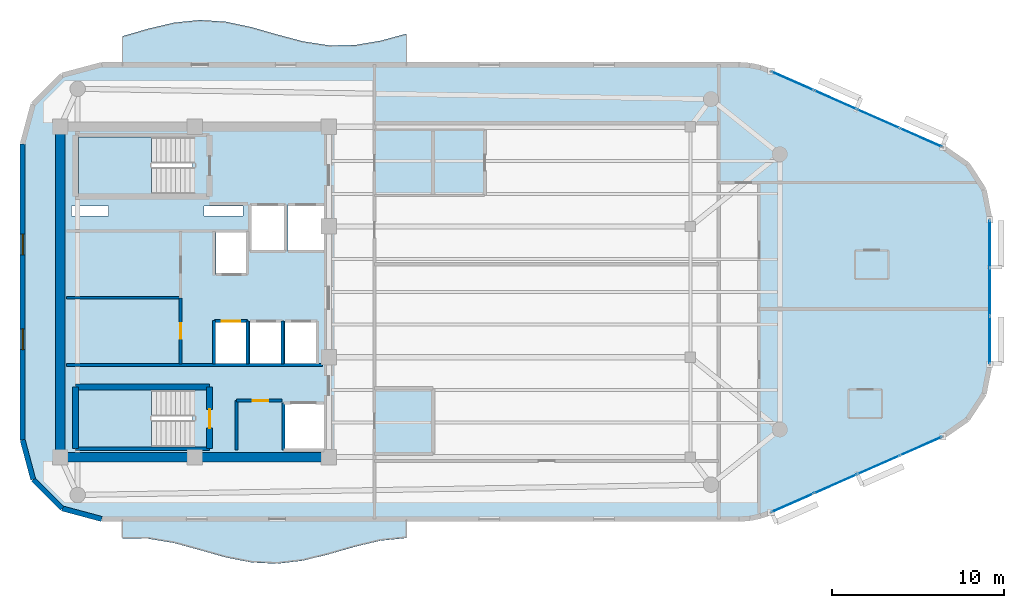
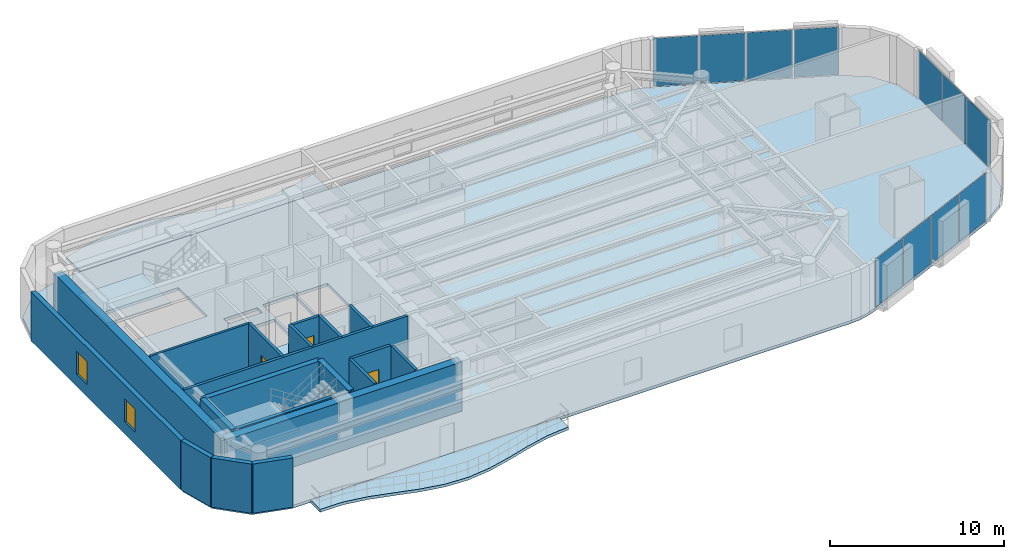
# One storey, part 7 of 12: 20 walls, 11 plates, 5 slabs, 4 doors, 2 windows, 6 openings, 5 elements without a shape of their own.
"""IFC4 building model written with IfcOpenShell, lengths in metres."""

import ifcopenshell
import ifcopenshell.guid

model = None  # the IFC model being written
_history = None  # IfcOwnerHistory: only IFC2X3 demands one
_inside = {}  # id of a spatial element -> (the spatial element, [elements in it])
_under = {}  # id of a project, library or spatial element -> (it, [spatial elements below it])
_declared = {}  # id of a project -> (the project, [libraries it declares])
_typed = {}  # id of a type object -> (the type object, [elements of that type])
_made_of = {}  # id of a material, layer set ... -> (it, [elements and type objects made of it])


def new_model(schema):
    """Start an empty IFC model of exactly this schema.

    Asked for "IFC4X3", IfcOpenShell would pick the latest addendum, in which some entities
    have other attributes; the version numbers below select the first issue.
    IFC2X3 requires an IfcOwnerHistory on every rooted entity: one is made here for all.
    """
    global model, _history
    if schema == "IFC4X3":
        model = ifcopenshell.file(schema_version=(4, 3, 0, 0))
    else:
        model = ifcopenshell.file(schema=schema)
    _inside.clear()
    _under.clear()
    _declared.clear()
    _typed.clear()
    _made_of.clear()
    _history = None
    if model.schema == "IFC2X3":
        org = make("IfcOrganization", Name="unknown")
        user = make(
            "IfcPersonAndOrganization",
            ThePerson=make("IfcPerson", FamilyName="unknown"),
            TheOrganization=org,
        )
        app = make(
            "IfcApplication",
            ApplicationDeveloper=org,
            Version="unknown",
            ApplicationFullName="unknown",
            ApplicationIdentifier="unknown",
        )
        _history = make(
            "IfcOwnerHistory",
            OwningUser=user,
            OwningApplication=app,
            ChangeAction="ADDED",
            CreationDate=0,
        )
    return model


def make(cls, **values):
    """One entity of the class cls with the attributes given. An attribute that is None is left unset."""
    return model.create_entity(
        cls, **{name: value for name, value in values.items() if value is not None}
    )


def rooted(cls, **values):
    """An entity with a GlobalId (a new one), such as an element, a storey or a relation."""
    return make(cls, GlobalId=ifcopenshell.guid.new(), OwnerHistory=_history, **values)


def si_unit(unit_type, name, prefix=None):
    """IfcSIUnit, for example si_unit("LENGTHUNIT", "METRE", prefix="MILLI")."""
    return make("IfcSIUnit", UnitType=unit_type, Prefix=prefix, Name=name)


def assignment(units):
    """IfcUnitAssignment: the units of a project."""
    return None if units is None else make("IfcUnitAssignment", Units=units)


def point(xyz):
    """IfcCartesianPoint."""
    return None if xyz is None else make("IfcCartesianPoint", Coordinates=xyz)


def direction(xyz):
    """IfcDirection."""
    return None if xyz is None else make("IfcDirection", DirectionRatios=xyz)


def frame(location, z_axis=None, x_axis=None):
    """IfcAxis2Placement3D, a coordinate frame: its origin and axes. An axis left out is left unset."""
    return make(
        "IfcAxis2Placement3D",
        Location=point(location),
        Axis=direction(z_axis),
        RefDirection=direction(x_axis),
    )


def frame_2d(location, x_axis=None):
    """IfcAxis2Placement2D, a coordinate frame in the plane: its origin and x axis."""
    return make(
        "IfcAxis2Placement2D", Location=point(location), RefDirection=direction(x_axis)
    )


def origin():
    """The frame at (0, 0, 0) with its axes left unset."""
    return frame((0.0, 0.0, 0.0))


def origin_2d():
    """The frame at (0, 0) in the plane with its x axis left unset."""
    return frame_2d((0.0, 0.0))


def place(relative_to, where):
    """IfcLocalPlacement: puts the frame where relative to a parent placement (None: the world)."""
    return make(
        "IfcLocalPlacement", PlacementRelTo=relative_to, RelativePlacement=where
    )


def context(
    kind, dimensions, precision=None, world=None, true_north=None, identifier=None
):
    """IfcGeometricRepresentationContext, for example the 3D "Model" context."""
    return make(
        "IfcGeometricRepresentationContext",
        ContextIdentifier=identifier,
        ContextType=kind,
        CoordinateSpaceDimension=dimensions,
        Precision=precision,
        WorldCoordinateSystem=world,
        TrueNorth=true_north,
    )


def subcontext(parent, identifier, kind, view, scale=None):
    """IfcGeometricRepresentationSubContext, for example "Body" below "Model"."""
    return make(
        "IfcGeometricRepresentationSubContext",
        ContextIdentifier=identifier,
        ContextType=kind,
        ParentContext=parent,
        TargetScale=scale,
        TargetView=view,
    )


def project(units=None, contexts=None):
    """IfcProject with its units and contexts."""
    return rooted(
        "IfcProject",
        Name="project",
        RepresentationContexts=contexts,
        UnitsInContext=assignment(units),
    )


def spatial(cls, under=None, at=None, **own):
    """A site, building, storey or space (cls), placed at a placement, below another one or the project."""
    s = rooted(cls, ObjectPlacement=at, **own)
    if under is not None:
        _under.setdefault(under.id(), (under, []))[1].append(s)
    return s


def polyline(points):
    """IfcPolyline through the points."""
    return make("IfcPolyline", Points=[point(p) for p in points])


def profile(cls, at=None, kind="AREA", **sizes):
    """A parametric profile (cls). Its sizes go by their IFC names, for example OverallWidth=200.0."""
    return make(cls, ProfileType=kind, Position=at, **sizes)


def rectangle(**sizes):
    """IfcRectangleProfileDef."""
    return profile("IfcRectangleProfileDef", **sizes)


def outline(outer, holes=None, kind="AREA"):
    """IfcArbitraryClosedProfileDef: a profile drawn as a closed curve; with holes, ...WithVoids."""
    if holes is None:
        return make("IfcArbitraryClosedProfileDef", ProfileType=kind, OuterCurve=outer)
    return make(
        "IfcArbitraryProfileDefWithVoids",
        ProfileType=kind,
        OuterCurve=outer,
        InnerCurves=holes,
    )


def extrude(swept, where, along, depth):
    """IfcExtrudedAreaSolid: the profile swept, set in the frame where, extruded along a direction by depth."""
    return make(
        "IfcExtrudedAreaSolid",
        SweptArea=swept,
        Position=where,
        ExtrudedDirection=direction(along),
        Depth=depth,
    )


def shape(context_of_items, identifier, shape_type, items):
    """IfcShapeRepresentation: the items that make up one representation, for example the "Body"."""
    return make(
        "IfcShapeRepresentation",
        ContextOfItems=context_of_items,
        RepresentationIdentifier=identifier,
        RepresentationType=shape_type,
        Items=items,
    )


def material(Name=None, Category=None):
    """IfcMaterial."""
    return make("IfcMaterial", Name=Name, Category=Category)


def layer(
    of_material, thickness, ventilated=None, Name=None, Category=None, Priority=None
):
    """IfcMaterialLayer: one layer of a wall or slab, of a material (None: an air gap)."""
    return make(
        "IfcMaterialLayer",
        Material=of_material,
        LayerThickness=thickness,
        IsVentilated=ventilated,
        Name=Name,
        Category=Category,
        Priority=Priority,
    )


def layer_set(layers, Name=None):
    """IfcMaterialLayerSet."""
    return make("IfcMaterialLayerSet", MaterialLayers=layers, LayerSetName=Name)


def made_of(thing, what):
    """Note that an element or type object is made of a material, layer set ...; save() writes the relation."""
    if what is not None:
        _made_of.setdefault(what.id(), (what, []))[1].append(thing)
    return thing


def type_object(cls, material=None, **own):
    """A type object (cls), such as IfcWallType, which elements share."""
    return made_of(rooted(cls, **own), material)


def element(
    cls,
    number,
    at=None,
    inside=None,
    cuts=None,
    type_object=None,
    material=None,
    context=None,
    identifier="Body",
    shape_type=None,
    held_by="IfcProductDefinitionShape",
    body=None,
    shapes=None,
    **own,
):
    """One element of the class cls, such as IfcWall. Its Tag is "e" and its number.

    at: its placement. inside: the storey or other place that contains it. cuts: it is an
    opening in that element (IfcRelVoidsElement). A single representation is given by context,
    identifier, shape_type and body (its items); several are given by shapes. held_by: the class
    of the entity that holds the representations. save() writes the other relations.
    """
    e = rooted(cls, Tag="e%d" % number, ObjectPlacement=at, **own)
    if body is not None:
        shapes = [shape(context, identifier, shape_type, body)]
    if shapes is not None:
        e.Representation = make(held_by, Representations=shapes)
    if inside is not None:
        _inside.setdefault(inside.id(), (inside, []))[1].append(e)
    if cuts is not None:
        rooted(
            "IfcRelVoidsElement", RelatingBuildingElement=cuts, RelatedOpeningElement=e
        )
    if type_object is not None:
        _typed.setdefault(type_object.id(), (type_object, []))[1].append(e)
    return made_of(e, material)


def fill(opening, filler):
    """IfcRelFillsElement: the door or window that sits in an opening."""
    return rooted(
        "IfcRelFillsElement",
        RelatingOpeningElement=opening,
        RelatedBuildingElement=filler,
    )


def aggregate(whole, parts):
    """IfcRelAggregates: a whole, such as a stair, and the parts it consists of."""
    return rooted("IfcRelAggregates", RelatingObject=whole, RelatedObjects=parts)


def save(model, path):
    """Write the relations noted so far, then the file.

    IfcRelAggregates (storeys below a building ...), IfcRelContainedInSpatialStructure (elements
    in a storey), IfcRelDefinesByType, IfcRelAssociatesMaterial and IfcRelDeclares: one each for
    every whole, place, type object, material and project.
    """
    for whole, parts in _under.values():
        aggregate(whole, parts)
    for where, things in _inside.values():
        rooted(
            "IfcRelContainedInSpatialStructure",
            RelatedElements=things,
            RelatingStructure=where,
        )
    for kind, things in _typed.values():
        rooted("IfcRelDefinesByType", RelatedObjects=things, RelatingType=kind)
    for what, things in _made_of.values():
        rooted("IfcRelAssociatesMaterial", RelatedObjects=things, RelatingMaterial=what)
    for by, libraries in _declared.values():
        rooted("IfcRelDeclares", RelatingContext=by, RelatedDefinitions=libraries)
    model.write(path)


model = new_model("IFC4")

# Units and contexts
model_context = context("Model", 3, precision=1e-05, world=origin(), true_north=direction((0.0, 1.0)))
body_context = subcontext(model_context, "Body", "Model", "MODEL_VIEW")
ifc_project = project(units=[si_unit("LENGTHUNIT", "METRE"), si_unit("AREAUNIT", "SQUARE_METRE"), si_unit("VOLUMEUNIT", "CUBIC_METRE"), si_unit("PLANEANGLEUNIT", "RADIAN"), si_unit("MASSUNIT", "GRAM", prefix="KILO")], contexts=[model_context])

# Site, building, storey
site_placement = place(None, origin())
site = spatial("IfcSite", under=ifc_project, at=site_placement, CompositionType="ELEMENT")
building_placement = place(site_placement, origin())
building = spatial("IfcBuilding", under=site, at=building_placement, Name="An Khanh Terracotta Commons", CompositionType="ELEMENT")
storey_placement = place(building_placement, frame((0.0, 0.0, 258.800048828125)))
storey = spatial("IfcBuildingStorey", under=building, at=storey_placement, Name="L67", CompositionType="ELEMENT", Elevation=258.800048828125)

# Curtain wall, plates
ifc_material_1 = material(Name="Anodised Aluminium 6063-T6", Category="aluminium")
ifc_layer_1 = layer(ifc_material_1, 0.2099609375, Name="Anodised Aluminium 6063-T6")
ifc_layer_set_1 = layer_set([ifc_layer_1], Name="Anodised Aluminium 6063-T6")
curtain_wall_type = type_object("IfcCurtainWallType", Name="CW-SYS-03", PredefinedType="USERDEFINED", material=ifc_layer_set_1)
curtain_wall_1_placement = place(storey_placement, origin())
curtain_wall_1 = element("IfcCurtainWall", 1, at=curtain_wall_1_placement, inside=storey, type_object=curtain_wall_type, Name="L67 CW-03 Unitised Curtain Wall CW-L67-08", ObjectType="UNITISED CURTAIN WALL", PredefinedType="USERDEFINED")
ifc_material_2 = material(Name="Acoustic Laminated Low-E Glazing", Category="glass")
ifc_layer_2 = layer(ifc_material_2, 0.035888671875, Name="Acoustic Laminated Low-E Glazing")
ifc_layer_set_2 = layer_set([ifc_layer_2], Name="Acoustic Laminated Low-E Glazing")
plate_type = type_object("IfcPlateType", Name="CWP-IGU-36", PredefinedType="CURTAIN_PANEL", material=ifc_layer_set_2)
plate_1_placement = place(storey_placement, frame((64.149169921875, 11.748046875, 0.0498046875), z_axis=(0.0, 0.0, 1.0), x_axis=(0.914901853201, 0.403676354285, 0.0)))
plate_1 = element("IfcPlate", 2, at=plate_1_placement, type_object=plate_type, Name="CW-03 panel 1.1", PredefinedType="CURTAIN_PANEL", context=body_context, shape_type="SweptSolid", body=[
    extrude(rectangle(XDim=2.619384765625, YDim=0.035888671875, at=origin_2d()), origin(), (0.0, 0.0, 1.0), 3.35009765625),
])
plate_2_placement = place(storey_placement, frame((66.625732421875, 12.840576171875, 0.0498046875), z_axis=(0.0, 0.0, 1.0), x_axis=(0.914901853201, 0.403676354285, 0.0)))
plate_2 = element("IfcPlate", 3, at=plate_2_placement, type_object=plate_type, Name="CW-03 panel 2.1", PredefinedType="CURTAIN_PANEL", context=body_context, shape_type="SweptSolid", body=[
    extrude(rectangle(XDim=2.654296875, YDim=0.035888671875, at=origin_2d()), origin(), (0.0, 0.0, 1.0), 3.35009765625),
])
plate_3_placement = place(storey_placement, frame((69.1181640625, 13.9404296875, 0.0498046875), z_axis=(0.0, 0.0, 1.0), x_axis=(0.914901853201, 0.403676354285, 0.0)))
plate_3 = element("IfcPlate", 4, at=plate_3_placement, type_object=plate_type, Name="CW-03 panel 3.1", PredefinedType="CURTAIN_PANEL", context=body_context, shape_type="SweptSolid", body=[
    extrude(rectangle(XDim=2.654296875, YDim=0.035888671875, at=origin_2d()), origin(), (0.0, 0.0, 1.0), 3.35009765625),
])
plate_4_placement = place(storey_placement, frame((71.5947265625, 15.032958984375, 0.0498046875), z_axis=(0.0, 0.0, 1.0), x_axis=(0.914901853201, 0.403676354285, 0.0)))
plate_4 = element("IfcPlate", 5, at=plate_4_placement, type_object=plate_type, Name="CW-03 panel 4.1", PredefinedType="CURTAIN_PANEL", context=body_context, shape_type="SweptSolid", body=[
    extrude(rectangle(XDim=2.619384765625, YDim=0.035888671875, at=origin_2d()), origin(), (0.0, 0.0, 1.0), 3.35009765625),
])
aggregate(curtain_wall_1, [plate_1, plate_2, plate_3, plate_4])

curtain_wall_2_placement = place(storey_placement, origin())
curtain_wall_2 = element("IfcCurtainWall", 6, at=curtain_wall_2_placement, inside=storey, type_object=curtain_wall_type, Name="L67 CW-03 Unitised Curtain Wall CW-L67-12", ObjectType="UNITISED CURTAIN WALL", PredefinedType="USERDEFINED")
plate_5_placement = place(storey_placement, frame((75.60009765625, 21.216064453125, 0.0498046875), z_axis=(0.0, 0.0, 1.0), x_axis=(0.0, 1.0, 0.0)))
plate_5 = element("IfcPlate", 7, at=plate_5_placement, type_object=plate_type, Name="CW-03 panel 1.1", PredefinedType="CURTAIN_PANEL", context=body_context, shape_type="SweptSolid", body=[
    extrude(rectangle(XDim=2.6962890625, YDim=0.035888671875, at=origin_2d()), origin(), (0.0, 0.0, 1.0), 3.35009765625),
])
plate_6_placement = place(storey_placement, frame((75.60009765625, 24.0, 0.0498046875), z_axis=(0.0, 0.0, 1.0), x_axis=(0.0, 1.0, 0.0)))
plate_6 = element("IfcPlate", 8, at=plate_6_placement, type_object=plate_type, Name="CW-03 panel 2.1", PredefinedType="CURTAIN_PANEL", context=body_context, shape_type="SweptSolid", body=[
    extrude(rectangle(XDim=2.7314453125, YDim=0.035888671875, at=origin_2d()), origin(), (0.0, 0.0, 1.0), 3.35009765625),
])
plate_7_placement = place(storey_placement, frame((75.60009765625, 26.783935546875, 0.0498046875), z_axis=(0.0, 0.0, 1.0), x_axis=(0.0, 1.0, 0.0)))
plate_7 = element("IfcPlate", 9, at=plate_7_placement, type_object=plate_type, Name="CW-03 panel 3.1", PredefinedType="CURTAIN_PANEL", context=body_context, shape_type="SweptSolid", body=[
    extrude(rectangle(XDim=2.6962890625, YDim=0.035888671875, at=origin_2d()), origin(), (0.0, 0.0, 1.0), 3.35009765625),
])
aggregate(curtain_wall_2, [plate_5, plate_6, plate_7])

curtain_wall_3_placement = place(storey_placement, origin())
curtain_wall_3 = element("IfcCurtainWall", 10, at=curtain_wall_3_placement, inside=storey, type_object=curtain_wall_type, Name="L67 CW-03 Unitised Curtain Wall CW-L67-16", ObjectType="UNITISED CURTAIN WALL", PredefinedType="USERDEFINED")
plate_8_placement = place(storey_placement, frame((71.5947265625, 32.967041015625, 0.0498046875), z_axis=(0.0, 0.0, 1.0), x_axis=(-0.914901853201, 0.403676354285, 0.0)))
plate_8 = element("IfcPlate", 11, at=plate_8_placement, type_object=plate_type, Name="CW-03 panel 1.1", PredefinedType="CURTAIN_PANEL", context=body_context, shape_type="SweptSolid", body=[
    extrude(rectangle(XDim=2.619384765625, YDim=0.035888671875, at=origin_2d()), origin(), (0.0, 0.0, 1.0), 3.35009765625),
])
plate_9_placement = place(storey_placement, frame((69.1181640625, 34.0595703125, 0.0498046875), z_axis=(0.0, 0.0, 1.0), x_axis=(-0.914901853201, 0.403676354285, 0.0)))
plate_9 = element("IfcPlate", 12, at=plate_9_placement, type_object=plate_type, Name="CW-03 panel 2.1", PredefinedType="CURTAIN_PANEL", context=body_context, shape_type="SweptSolid", body=[
    extrude(rectangle(XDim=2.654296875, YDim=0.035888671875, at=origin_2d()), origin(), (0.0, 0.0, 1.0), 3.35009765625),
])
plate_10_placement = place(storey_placement, frame((66.625732421875, 35.159423828125, 0.0498046875), z_axis=(0.0, 0.0, 1.0), x_axis=(-0.914901853201, 0.403676354285, 0.0)))
plate_10 = element("IfcPlate", 13, at=plate_10_placement, type_object=plate_type, Name="CW-03 panel 3.1", PredefinedType="CURTAIN_PANEL", context=body_context, shape_type="SweptSolid", body=[
    extrude(rectangle(XDim=2.654296875, YDim=0.035888671875, at=origin_2d()), origin(), (0.0, 0.0, 1.0), 3.35009765625),
])
plate_11_placement = place(storey_placement, frame((64.149169921875, 36.251953125, 0.0498046875), z_axis=(0.0, 0.0, 1.0), x_axis=(-0.914901853201, 0.403676354285, 0.0)))
plate_11 = element("IfcPlate", 14, at=plate_11_placement, type_object=plate_type, Name="CW-03 panel 4.1", PredefinedType="CURTAIN_PANEL", context=body_context, shape_type="SweptSolid", body=[
    extrude(rectangle(XDim=2.619384765625, YDim=0.035888671875, at=origin_2d()), origin(), (0.0, 0.0, 1.0), 3.35009765625),
])
aggregate(curtain_wall_3, [plate_8, plate_9, plate_10, plate_11])

# Slabs
ifc_material_3 = material(Name="Concrete C40/50", Category="concrete")
ifc_layer_3 = layer(ifc_material_3, 0.199951171875, Name="Concrete C40/50")
ifc_layer_set_3 = layer_set([ifc_layer_3], Name="Concrete C40/50")
slab_type_1 = type_object("IfcSlabType", Name="SLAB-BALC-200", PredefinedType="FLOOR", material=ifc_layer_set_3)
slab_1_placement = place(storey_placement, frame((0.0, 0.0, -0.199951171875)))
element("IfcSlab", 15, at=slab_1_placement, inside=storey, type_object=slab_type_1, Name="L67 S Sinusoidal Wave Balcony Slab", PredefinedType="FLOOR", context=body_context, shape_type="SweptSolid", body=[
    extrude(outline(polyline([(25.199951171875, 10.800048828125), (25.199951171875, 9.674072265625), (26.699951171875, 9.659912109375), (28.199951171875, 9.406982421875), (29.699951171875, 8.9990234375), (31.199951171875, 8.574951171875), (32.699951171875, 8.277099609375), (34.199951171875, 8.2060546875), (35.699951171875, 8.385986328125), (37.199951171875, 8.756103515625), (38.699951171875, 9.19091796875), (40.199951171875, 9.544921875), (41.699951171875, 9.697998046875), (41.699951171875, 10.800048828125), (25.199951171875, 10.800048828125)])), origin(), (0.0, 0.0, 1.0), 0.199951171875),
])
slab_2_placement = place(storey_placement, frame((0.0, 0.0, -0.199951171875)))
element("IfcSlab", 16, at=slab_2_placement, inside=storey, type_object=slab_type_1, Name="L67 N Sinusoidal Wave Balcony Slab", PredefinedType="FLOOR", context=body_context, shape_type="SweptSolid", body=[
    extrude(outline(polyline([(41.699951171875, 37.199951171875), (41.699951171875, 39.0009765625), (40.199951171875, 38.593017578125), (38.699951171875, 38.340087890625), (37.199951171875, 38.325927734375), (35.699951171875, 38.554931640625), (34.199951171875, 38.951904296875), (32.699951171875, 39.382080078125), (31.199951171875, 39.699951171875), (29.699951171875, 39.798095703125), (28.199951171875, 39.64501953125), (26.699951171875, 39.291015625), (25.199951171875, 38.85595703125), (25.199951171875, 37.199951171875), (41.699951171875, 37.199951171875)])), origin(), (0.0, 0.0, 1.0), 0.199951171875),
])

# Stair, slab
ifc_material_4 = material(Name="Precast concrete C40/50", Category="concrete")
stair_type = type_object("IfcStairType", Name="STAIR-CORE-1550", PredefinedType="HALF_TURN_STAIR", material=ifc_material_4)
stair_1_placement = place(storey_placement, origin())
stair_1 = element("IfcStair", 17, at=stair_1_placement, inside=storey, type_object=stair_type, Name="L67 Core Smokeproof Exit Stair ST-01", PredefinedType="HALF_TURN_STAIR")
ifc_layer_4 = layer(ifc_material_3, 0.18994140625, Name="Concrete C40/50")
ifc_layer_set_4 = layer_set([ifc_layer_4], Name="Concrete C40/50")
slab_type_2 = type_object("IfcSlabType", Name="SLAB-LANDING-190", PredefinedType="LANDING", material=ifc_layer_set_4)
slab_3_placement = place(storey_placement, frame((0.0, 0.0, 1.625)))
slab_3 = element("IfcSlab", 18, at=slab_3_placement, type_object=slab_type_2, Name="ST-01 landing 1", PredefinedType="LANDING", context=body_context, shape_type="SweptSolid", body=[
    extrude(outline(polyline([(26.889892578125, 33.0), (22.64990234375, 33.0), (22.64990234375, 29.699951171875), (26.889892578125, 29.699951171875), (26.889892578125, 33.0)])), origin(), (0.0, 0.0, 1.0), 0.199951171875),
])
aggregate(stair_1, [slab_3])

stair_2_placement = place(storey_placement, origin())
stair_2 = element("IfcStair", 19, at=stair_2_placement, inside=storey, type_object=stair_type, Name="L67 Core Smokeproof Exit Stair ST-02", PredefinedType="HALF_TURN_STAIR")
slab_4_placement = place(storey_placement, frame((0.0, 0.0, 1.625)))
slab_4 = element("IfcSlab", 20, at=slab_4_placement, type_object=slab_type_2, Name="ST-02 landing 1", PredefinedType="LANDING", context=body_context, shape_type="SweptSolid", body=[
    extrude(outline(polyline([(26.889892578125, 18.300048828125), (22.64990234375, 18.300048828125), (22.64990234375, 15.0), (26.889892578125, 15.0), (26.889892578125, 18.300048828125)])), origin(), (0.0, 0.0, 1.0), 0.199951171875),
])
aggregate(stair_2, [slab_4])

# Slab
ifc_layer_5 = layer(ifc_material_3, 0.199951171875, Name="Concrete C40/50")
ifc_layer_set_5 = layer_set([ifc_layer_5], Name="Concrete C40/50")
slab_type_3 = type_object("IfcSlabType", Name="SLAB-TYP-200", PredefinedType="FLOOR", material=ifc_layer_set_5)
slab_5_placement = place(storey_placement, frame((0.0, 0.0, -0.199951171875)))
element("IfcSlab", 21, at=slab_5_placement, inside=storey, type_object=slab_type_3, Name="L67 Structural Floor Slab", PredefinedType="FLOOR", context=body_context, shape_type="SweptSolid", body=[
    extrude(outline(polyline([(19.39990234375, 15.39990234375), (20.01611328125, 13.10009765625), (21.699951171875, 11.416015625), (24.0, 10.800048828125), (61.030029296875, 10.800048828125), (61.6650390625, 10.843994140625), (62.2880859375, 10.97509765625), (62.886962890625, 11.19091796875), (72.85693359375, 15.590087890625), (74.302001953125, 16.594970703125), (75.262939453125, 18.070068359375), (75.60009765625, 19.798095703125), (75.60009765625, 28.201904296875), (75.262939453125, 29.929931640625), (74.302001953125, 31.405029296875), (72.85693359375, 32.409912109375), (62.886962890625, 36.80908203125), (62.2880859375, 37.02490234375), (61.6650390625, 37.156005859375), (61.030029296875, 37.199951171875), (24.0, 37.199951171875), (21.699951171875, 36.583984375), (20.01611328125, 34.89990234375), (19.39990234375, 32.60009765625), (19.39990234375, 15.39990234375)]), holes=[polyline([(22.64990234375, 29.699951171875), (29.27001953125, 29.699951171875), (29.27001953125, 33.0), (22.64990234375, 33.0), (22.64990234375, 29.699951171875)]), polyline([(22.64990234375, 15.0), (29.27001953125, 15.0), (29.27001953125, 18.300048828125), (22.64990234375, 18.300048828125), (22.64990234375, 15.0)]), polyline([(32.60009765625, 26.35009765625), (34.679931640625, 26.35009765625), (34.679931640625, 29.080078125), (32.60009765625, 29.080078125), (32.60009765625, 26.35009765625)]), polyline([(34.820068359375, 26.35009765625), (36.89990234375, 26.35009765625), (36.89990234375, 29.080078125), (34.820068359375, 29.080078125), (34.820068359375, 26.35009765625)]), polyline([(34.550048828125, 14.800048828125), (36.89990234375, 14.800048828125), (36.89990234375, 17.550048828125), (34.550048828125, 17.550048828125), (34.550048828125, 14.800048828125)]), polyline([(30.639892578125, 25.0), (32.4599609375, 25.0), (32.4599609375, 27.5), (30.639892578125, 27.5), (30.639892578125, 25.0)]), polyline([(30.56005859375, 19.800048828125), (32.4599609375, 19.800048828125), (32.4599609375, 22.300048828125), (30.56005859375, 22.300048828125), (30.56005859375, 19.800048828125)]), polyline([(32.60009765625, 19.800048828125), (34.5, 19.800048828125), (34.5, 22.300048828125), (32.60009765625, 22.300048828125), (32.60009765625, 19.800048828125)]), polyline([(34.639892578125, 19.800048828125), (36.5400390625, 19.800048828125), (36.5400390625, 22.300048828125), (34.639892578125, 22.300048828125), (34.639892578125, 19.800048828125)]), polyline([(22.25, 28.419921875), (24.39990234375, 28.419921875), (24.39990234375, 28.97998046875), (22.25, 28.97998046875), (22.25, 28.419921875)]), polyline([(29.949951171875, 28.419921875), (32.199951171875, 28.419921875), (32.199951171875, 28.97998046875), (29.949951171875, 28.97998046875), (29.949951171875, 28.419921875)])]), origin(), (0.0, 0.0, 1.0), 0.199951171875),
])

# Walls
ifc_material_5 = material(Name="Concrete C50/60", Category="concrete")
ifc_layer_6 = layer(ifc_material_5, 0.550048828125, Name="Concrete C50/60")
ifc_layer_set_6 = layer_set([ifc_layer_6], Name="Concrete C50/60")
wall_type_1 = type_object("IfcWallType", Name="WALL-CORE-550", PredefinedType="SHEAR", material=ifc_layer_set_6)
wall_1_placement = place(storey_placement, frame((21.60009765625, 14.39990234375, 0.0), z_axis=(0.0, 0.0, 1.0), x_axis=(0.0, 1.0, 0.0)))
element("IfcWall", 22, at=wall_1_placement, inside=storey, type_object=wall_type_1, Name="L67 Core Wall CWALL-L67-W", PredefinedType="SHEAR", context=body_context, shape_type="SweptSolid", body=[
    extrude(rectangle(XDim=19.2001953125, YDim=0.550048828125, at=frame_2d((9.60009765625, 0.0))), origin(), (0.0, 0.0, 1.0), 3.449951171875),
])
wall_2_placement = place(storey_placement, frame((37.199951171875, 14.39990234375, 0.0), z_axis=(0.0, 0.0, 1.0), x_axis=(-1.0, 0.0, 0.0)))
element("IfcWall", 23, at=wall_2_placement, inside=storey, type_object=wall_type_1, Name="L67 Core Wall CWALL-L67-S", PredefinedType="SHEAR", context=body_context, shape_type="SweptSolid", body=[
    extrude(rectangle(XDim=15.599853515625, YDim=0.550048828125, at=frame_2d((7.7998046875, 0.0))), origin(), (0.0, 0.0, 1.0), 3.449951171875),
])
ifc_material_6 = material(Name="Fire-Rated Gypsum Board on Steel Stud", Category="steel")
ifc_layer_7 = layer(ifc_material_6, 0.179931640625, Name="Fire-Rated Gypsum Board on Steel Stud")
ifc_layer_set_7 = layer_set([ifc_layer_7], Name="Fire-Rated Gypsum Board on Steel Stud")
wall_type_2 = type_object("IfcWallType", Name="WALL-CORR-180", PredefinedType="PARTITIONING", material=ifc_layer_set_7)
wall_3_placement = place(storey_placement, frame((21.949951171875, 19.760009765625, 0.0), z_axis=(0.0, 0.0, 1.0), x_axis=(1.0, 0.0, 0.0)))
element("IfcWall", 24, at=wall_3_placement, inside=storey, type_object=wall_type_2, Name="L67 Core Wall SVW-L67-N", PredefinedType="PARTITIONING", context=body_context, shape_type="SweptSolid", body=[
    extrude(rectangle(XDim=14.8701171875, YDim=0.179931640625, at=frame_2d((7.43505859375, 0.0))), origin(), (0.0, 0.0, 1.0), 3.449951171875),
])

# Wall, opening, door
wall_4_placement = place(storey_placement, frame((31.820068359375, 17.679931640625, 0.0), z_axis=(0.0, 0.0, 1.0), x_axis=(1.0, 0.0, 0.0)))
wall_4 = element("IfcWall", 25, at=wall_4_placement, inside=storey, type_object=wall_type_2, Name="L67 Core Wall SSVCW-L67-N", PredefinedType="PARTITIONING", context=body_context, shape_type="SweptSolid", body=[
    extrude(rectangle(XDim=2.659912109375, YDim=0.179931640625, at=frame_2d((1.330078125, 0.0))), origin(), (0.0, 0.0, 1.0), 3.449951171875),
])
opening_1_placement = place(wall_4_placement, frame((0.949951171875, 0.0, 0.0)))
opening_1 = element("IfcOpeningElement", 26, at=opening_1_placement, cuts=wall_4, Name="Opening D-SV", PredefinedType="OPENING", context=body_context, shape_type="SweptSolid", body=[
    extrude(rectangle(XDim=0.89990234375, YDim=2.050048828125, at=frame_2d((0.449951171875, 1.02490234375))), frame((0.0, 0.099853515625, 0.0), z_axis=(0.0, -1.0, 0.0), x_axis=(1.0, 0.0, 0.0)), (0.0, 0.0, 1.0), 0.199951171875),
])
ifc_material_7 = material(Name="Fire-Rated Powder-Coated Steel Door", Category="steel")
door_type_1 = type_object("IfcDoorType", Name="DOOR-SERV-900", OperationType="NOTDEFINED", PredefinedType="DOOR", material=ifc_material_7)
door_1_placement = place(opening_1_placement, origin())
door_1 = element("IfcDoor", 27, at=door_1_placement, inside=storey, type_object=door_type_1, Name="L67 Electrical Switch Cupboard Door", OperationType="SINGLE_SWING_RIGHT", OverallHeight=2.050048828125, OverallWidth=0.89990234375, PredefinedType="DOOR", context=body_context, shape_type="SweptSolid", body=[
    extrude(rectangle(XDim=0.89990234375, YDim=2.050048828125, at=frame_2d((0.449951171875, 1.02490234375))), frame((0.0, 0.02490234375, 0.0), z_axis=(0.0, -1.0, 0.0), x_axis=(1.0, 0.0, 0.0)), (0.0, 0.0, 1.0), 0.050048828125),
])
fill(opening_1, door_1)

# Walls
wall_5_placement = place(storey_placement, frame((31.820068359375, 14.800048828125, 0.0), z_axis=(0.0, 0.0, 1.0), x_axis=(0.0, 1.0, 0.0)))
element("IfcWall", 28, at=wall_5_placement, inside=storey, type_object=wall_type_2, Name="L67 Core Wall SSVCW-L67-W", PredefinedType="PARTITIONING", context=body_context, shape_type="SweptSolid", body=[
    extrude(rectangle(XDim=2.8798828125, YDim=0.179931640625, at=frame_2d((1.43994140625, 0.0))), origin(), (0.0, 0.0, 1.0), 3.449951171875),
])
wall_6_placement = place(storey_placement, frame((34.550048828125, 17.550048828125, 0.0), z_axis=(0.0, 0.0, 1.0), x_axis=(0.0, -1.0, 0.0)))
element("IfcWall", 29, at=wall_6_placement, inside=storey, type_object=wall_type_2, Name="L67 Core Wall LSH-L67-SVL-01-W", PredefinedType="PARTITIONING", context=body_context, shape_type="SweptSolid", body=[
    extrude(rectangle(XDim=2.75, YDim=0.179931640625, at=frame_2d((1.375, 0.0))), origin(), (0.0, 0.0, 1.0), 3.449951171875),
])

# Wall, opening, door
wall_7_placement = place(storey_placement, frame((30.56005859375, 22.300048828125, 0.0), z_axis=(0.0, 0.0, 1.0), x_axis=(1.0, 0.0, 0.0)))
wall_7 = element("IfcWall", 30, at=wall_7_placement, inside=storey, type_object=wall_type_2, Name="L67 Core Wall LSH-L67-PL-H2-N", PredefinedType="PARTITIONING", context=body_context, shape_type="SweptSolid", body=[
    extrude(rectangle(XDim=1.89990234375, YDim=0.179931640625, at=frame_2d((0.949951171875, 0.0))), origin(), (0.0, 0.0, 1.0), 3.449951171875),
])
opening_2_placement = place(wall_7_placement, frame((0.425048828125, 0.0, 0.0)))
opening_2 = element("IfcOpeningElement", 31, at=opening_2_placement, cuts=wall_7, Name="Opening LD-PL-H2-L67", PredefinedType="OPENING", context=body_context, shape_type="SweptSolid", body=[
    extrude(rectangle(XDim=1.050048828125, YDim=2.199951171875, at=frame_2d((0.52490234375, 1.10009765625))), frame((0.0, 0.099853515625, 0.0), z_axis=(0.0, -1.0, 0.0), x_axis=(1.0, 0.0, 0.0)), (0.0, 0.0, 1.0), 0.199951171875),
])
ifc_material_8 = material(Name="Brushed Stainless Steel High-Rise Landing Door", Category="steel")
door_type_2 = type_object("IfcDoorType", Name="DOOR-LD-PAXH-1050", OperationType="NOTDEFINED", PredefinedType="DOOR", material=ifc_material_8)
door_2_placement = place(opening_2_placement, origin())
door_2 = element("IfcDoor", 32, at=door_2_placement, inside=storey, type_object=door_type_2, Name="L67 Lift PL-H2 Sliding Landing Door", OperationType="DOUBLE_DOOR_SLIDING", OverallHeight=2.199951171875, OverallWidth=1.050048828125, PredefinedType="DOOR", context=body_context, shape_type="SweptSolid", body=[
    extrude(rectangle(XDim=1.050048828125, YDim=2.199951171875, at=frame_2d((0.52490234375, 1.10009765625))), frame((0.0, 0.02490234375, 0.0), z_axis=(0.0, -1.0, 0.0), x_axis=(1.0, 0.0, 0.0)), (0.0, 0.0, 1.0), 0.050048828125),
])
fill(opening_2, door_2)

# Walls
for number, where, z_axis, x_axis, name in (
    (33, (32.4599609375, 19.800048828125, 0.0), (0.0, 0.0, 1.0), (0.0, 1.0, 0.0), "L67 Core Wall LSH-L67-PL-H2-E"),
    (34, (34.5, 19.800048828125, 0.0), (0.0, 0.0, 1.0), (0.0, 1.0, 0.0), "L67 Core Wall LSH-L67-PL-H3-E"),
):
    element("IfcWall", number, at=place(storey_placement, frame(where, z_axis=z_axis, x_axis=x_axis)), inside=storey, type_object=wall_type_2, Name=name, PredefinedType="PARTITIONING", context=body_context, shape_type="SweptSolid", body=[
        extrude(rectangle(XDim=2.5, YDim=0.179931640625, at=frame_2d((1.25, 0.0))), origin(), (0.0, 0.0, 1.0), 3.449951171875),
    ])
wall_8_placement = place(storey_placement, frame((30.52001953125, 19.800048828125, 0.0), z_axis=(0.0, 0.0, 1.0), x_axis=(0.0, 1.0, 0.0)))
element("IfcWall", 35, at=wall_8_placement, inside=storey, type_object=wall_type_2, Name="L67 Core Wall RECW-L67-BE2", PredefinedType="PARTITIONING", context=body_context, shape_type="SweptSolid", body=[
    extrude(rectangle(XDim=2.550048828125, YDim=0.179931640625, at=frame_2d((1.27490234375, 0.0))), origin(), (0.0, 0.0, 1.0), 3.449951171875),
])

# Wall, opening, door
wall_9_placement = place(storey_placement, frame((28.580078125, 19.800048828125, 0.0), z_axis=(0.0, 0.0, 1.0), x_axis=(0.0, 1.0, 0.0)))
wall_9 = element("IfcWall", 36, at=wall_9_placement, inside=storey, type_object=wall_type_2, Name="L67 Core Wall RECW-L67-E2", PredefinedType="PARTITIONING", context=body_context, shape_type="SweptSolid", body=[
    extrude(rectangle(XDim=3.849853515625, YDim=0.179931640625, at=frame_2d((1.9248046875, 0.0))), origin(), (0.0, 0.0, 1.0), 3.449951171875),
])
opening_3_placement = place(wall_9_placement, frame((1.465087890625, 0.0, 0.0)))
opening_3 = element("IfcOpeningElement", 37, at=opening_3_placement, cuts=wall_9, Name="Opening D-RM", PredefinedType="OPENING", context=body_context, shape_type="SweptSolid", body=[
    extrude(rectangle(XDim=0.919921875, YDim=2.10009765625, at=frame_2d((0.4599609375, 1.050048828125))), frame((0.0, 0.099853515625, 0.0), z_axis=(0.0, -1.0, 0.0), x_axis=(1.0, 0.0, 0.0)), (0.0, 0.0, 1.0), 0.199951171875),
])
ifc_material_9 = material(Name="Engineered Hardwood Timber Leaf", Category="wood")
door_type_3 = type_object("IfcDoorType", Name="DOOR-INT-920", OperationType="NOTDEFINED", PredefinedType="DOOR", material=ifc_material_9)
door_3_placement = place(opening_3_placement, origin())
door_3 = element("IfcDoor", 38, at=door_3_placement, inside=storey, type_object=door_type_3, Name="L67 Quiet Fellowship Study Room Door", OperationType="SINGLE_SWING_RIGHT", OverallHeight=2.10009765625, OverallWidth=0.919921875, PredefinedType="DOOR", context=body_context, shape_type="SweptSolid", body=[
    extrude(rectangle(XDim=0.919921875, YDim=2.10009765625, at=frame_2d((0.4599609375, 1.050048828125))), frame((0.0, 0.02490234375, 0.0), z_axis=(0.0, -1.0, 0.0), x_axis=(1.0, 0.0, 0.0)), (0.0, 0.0, 1.0), 0.050048828125),
])
fill(opening_3, door_3)

# Walls
ifc_layer_8 = layer(ifc_material_4, 0.300048828125, Name="Precast concrete C40/50")
ifc_layer_set_8 = layer_set([ifc_layer_8], Name="Precast concrete C40/50")
wall_type_3 = type_object("IfcWallType", Name="WALL-EXT-300", PredefinedType="SOLIDWALL", material=ifc_layer_set_8)
wall_10_placement = place(storey_placement, frame((19.39990234375, 15.39990234375, 0.0), z_axis=(0.0, 0.0, 1.0), x_axis=(0.258811258154, -0.965927912762, 0.0)))
element("IfcWall", 39, at=wall_10_placement, inside=storey, type_object=wall_type_3, Name="L67 Insulated Terracotta Exterior Wall 1", PredefinedType="SOLIDWALL", context=body_context, shape_type="SweptSolid", body=[
    extrude(rectangle(XDim=2.380859375, YDim=0.300048828125, at=frame_2d((1.1904296875, 0.0))), origin(), (0.0, 0.0, 1.0), 3.449951171875),
])
wall_11_placement = place(storey_placement, frame((20.01611328125, 13.10009765625, 0.0), z_axis=(0.0, 0.0, 1.0), x_axis=(0.707055521135, -0.707158037522, 0.0)))
element("IfcWall", 40, at=wall_11_placement, inside=storey, type_object=wall_type_3, Name="L67 Insulated Terracotta Exterior Wall 2", PredefinedType="SOLIDWALL", context=body_context, shape_type="SweptSolid", body=[
    extrude(rectangle(XDim=2.381591796875, YDim=0.300048828125, at=frame_2d((1.19091796875, 0.0))), origin(), (0.0, 0.0, 1.0), 3.449951171875),
])
wall_12_placement = place(storey_placement, frame((21.699951171875, 11.416015625, 0.0), z_axis=(0.0, 0.0, 1.0), x_axis=(0.965960405575, -0.25868995895, 0.0)))
element("IfcWall", 41, at=wall_12_placement, inside=storey, type_object=wall_type_3, Name="L67 Insulated Terracotta Exterior Wall 3", PredefinedType="SOLIDWALL", context=body_context, shape_type="SweptSolid", body=[
    extrude(rectangle(XDim=2.381103515625, YDim=0.300048828125, at=frame_2d((1.1904296875, 0.0))), origin(), (0.0, 0.0, 1.0), 3.449951171875),
])

# Wall, openings, windows
wall_13_placement = place(storey_placement, frame((19.39990234375, 32.60009765625, 0.0), z_axis=(0.0, 0.0, 1.0), x_axis=(0.0, -1.0, 0.0)))
wall_13 = element("IfcWall", 42, at=wall_13_placement, inside=storey, type_object=wall_type_3, Name="L67 Insulated Terracotta Exterior Wall 24", PredefinedType="SOLIDWALL", context=body_context, shape_type="SweptSolid", body=[
    extrude(rectangle(XDim=17.2001953125, YDim=0.300048828125, at=frame_2d((8.60009765625, 0.0))), origin(), (0.0, 0.0, 1.0), 3.449951171875),
])
opening_4_placement = place(wall_13_placement, frame((5.25, 0.0, 0.85009765625)))
opening_4 = element("IfcOpeningElement", 43, at=opening_4_placement, cuts=wall_13, Name="Opening W-05", PredefinedType="OPENING", context=body_context, shape_type="SweptSolid", body=[
    extrude(rectangle(XDim=1.199951171875, YDim=1.60009765625, at=frame_2d((0.60009765625, 0.800048828125))), frame((0.0, 0.159912109375, 0.0), z_axis=(0.0, -1.0, 0.0), x_axis=(1.0, 0.0, 0.0)), (0.0, 0.0, 1.0), 0.320068359375),
])
opening_5_placement = place(wall_13_placement, frame((10.75, 0.0, 0.85009765625)))
opening_5 = element("IfcOpeningElement", 44, at=opening_5_placement, cuts=wall_13, Name="Opening W-05", PredefinedType="OPENING", context=body_context, shape_type="SweptSolid", body=[
    extrude(rectangle(XDim=1.199951171875, YDim=1.60009765625, at=frame_2d((0.60009765625, 0.800048828125))), frame((0.0, 0.159912109375, 0.0), z_axis=(0.0, -1.0, 0.0), x_axis=(1.0, 0.0, 0.0)), (0.0, 0.0, 1.0), 0.320068359375),
])
ifc_material_10 = material(Name="Thermally Broken Aluminium and Low-E Glass", Category="aluminium")
window_type = type_object("IfcWindowType", Name="WIN-Z5-1200x1600", PartitioningType="SINGLE_PANEL", PredefinedType="WINDOW", material=ifc_material_10)
window_1_placement = place(opening_4_placement, origin())
window_1 = element("IfcWindow", 45, at=window_1_placement, inside=storey, type_object=window_type, Name="L67 Operable Casement Window 24.1", OverallHeight=1.60009765625, OverallWidth=1.199951171875, PartitioningType="SINGLE_PANEL", PredefinedType="WINDOW", context=body_context, shape_type="SweptSolid", body=[
    extrude(rectangle(XDim=1.199951171875, YDim=1.60009765625, at=frame_2d((0.60009765625, 0.800048828125))), frame((0.0, 0.030029296875, 0.0), z_axis=(0.0, -1.0, 0.0), x_axis=(1.0, 0.0, 0.0)), (0.0, 0.0, 1.0), 0.06005859375),
])
fill(opening_4, window_1)
window_2_placement = place(opening_5_placement, origin())
window_2 = element("IfcWindow", 46, at=window_2_placement, inside=storey, type_object=window_type, Name="L67 Operable Casement Window 24.2", OverallHeight=1.60009765625, OverallWidth=1.199951171875, PartitioningType="SINGLE_PANEL", PredefinedType="WINDOW", context=body_context, shape_type="SweptSolid", body=[
    extrude(rectangle(XDim=1.199951171875, YDim=1.60009765625, at=frame_2d((0.60009765625, 0.800048828125))), frame((0.0, 0.030029296875, 0.0), z_axis=(0.0, -1.0, 0.0), x_axis=(1.0, 0.0, 0.0)), (0.0, 0.0, 1.0), 0.06005859375),
])
fill(opening_5, window_2)

# Walls
ifc_material_11 = material(Name="Acoustic Gypsum Board Partition")
ifc_layer_9 = layer(ifc_material_11, 0.14990234375, Name="Acoustic Gypsum Board Partition")
ifc_layer_set_9 = layer_set([ifc_layer_9], Name="Acoustic Gypsum Board Partition")
wall_type_4 = type_object("IfcWallType", Name="WALL-PART-150", PredefinedType="PARTITIONING", material=ifc_layer_set_9)
wall_14_placement = place(storey_placement, frame((21.949951171875, 23.64990234375, 0.0), z_axis=(0.0, 0.0, 1.0), x_axis=(1.0, 0.0, 0.0)))
element("IfcWall", 47, at=wall_14_placement, inside=storey, type_object=wall_type_4, Name="L67 Core Wall RECW-L67-M", PredefinedType="PARTITIONING", context=body_context, shape_type="SweptSolid", body=[
    extrude(rectangle(XDim=6.630126953125, YDim=0.14990234375, at=frame_2d((3.31494140625, 0.0))), origin(), (0.0, 0.0, 1.0), 3.449951171875),
])
ifc_material_12 = material(Name="Acoustic Double-Stud Gypsum and Mineral Wool")
ifc_layer_10 = layer(ifc_material_12, 0.219970703125, Name="Acoustic Double-Stud Gypsum and Mineral Wool")
ifc_layer_set_10 = layer_set([ifc_layer_10], Name="Acoustic Double-Stud Gypsum and Mineral Wool")
wall_type_5 = type_object("IfcWallType", Name="WALL-PARTY-220", PredefinedType="PARTITIONING", material=ifc_layer_set_10)
wall_15_placement = place(storey_placement, frame((22.47998046875, 14.889892578125, 0.0), z_axis=(0.0, 0.0, 1.0), x_axis=(1.0, 0.0, 0.0)))
element("IfcWall", 48, at=wall_15_placement, inside=storey, type_object=wall_type_5, Name="L67 Core Wall STW-L67-S-S", PredefinedType="PARTITIONING", context=body_context, shape_type="SweptSolid", body=[
    extrude(rectangle(XDim=7.7900390625, YDim=0.219970703125, at=frame_2d((3.89501953125, 0.0))), origin(), (0.0, 0.0, 1.0), 3.449951171875),
])
ifc_layer_11 = layer(ifc_material_5, 0.35009765625, Name="Concrete C50/60")
ifc_layer_set_11 = layer_set([ifc_layer_11], Name="Concrete C50/60")
wall_type_6 = type_object("IfcWallType", Name="WALL-SHAFT-350", PredefinedType="SOLIDWALL", material=ifc_layer_set_11)
wall_16_placement = place(storey_placement, frame((22.47998046875, 18.469970703125, 0.0), z_axis=(0.0, 0.0, 1.0), x_axis=(1.0, 0.0, 0.0)))
element("IfcWall", 49, at=wall_16_placement, inside=storey, type_object=wall_type_6, Name="L67 Core Wall STW-L67-S-N", PredefinedType="SOLIDWALL", context=body_context, shape_type="SweptSolid", body=[
    extrude(rectangle(XDim=7.7900390625, YDim=0.35009765625, at=frame_2d((3.89501953125, 0.0))), origin(), (0.0, 0.0, 1.0), 3.449951171875),
])
wall_17_placement = place(storey_placement, frame((22.47998046875, 14.889892578125, 0.0), z_axis=(0.0, 0.0, 1.0), x_axis=(0.0, 1.0, 0.0)))
element("IfcWall", 50, at=wall_17_placement, inside=storey, type_object=wall_type_6, Name="L67 Core Wall STW-L67-S-W", PredefinedType="SOLIDWALL", context=body_context, shape_type="SweptSolid", body=[
    extrude(rectangle(XDim=3.580078125, YDim=0.35009765625, at=frame_2d((1.7900390625, 0.0))), origin(), (0.0, 0.0, 1.0), 3.449951171875),
])

# Wall, opening, door
wall_18_placement = place(storey_placement, frame((30.27001953125, 14.889892578125, 0.0), z_axis=(0.0, 0.0, 1.0), x_axis=(0.0, 1.0, 0.0)))
wall_18 = element("IfcWall", 51, at=wall_18_placement, inside=storey, type_object=wall_type_6, Name="L67 Core Wall STW-L67-S-E", PredefinedType="SOLIDWALL", context=body_context, shape_type="SweptSolid", body=[
    extrude(rectangle(XDim=3.580078125, YDim=0.35009765625, at=frame_2d((1.7900390625, 0.0))), origin(), (0.0, 0.0, 1.0), 3.449951171875),
])
opening_6_placement = place(wall_18_placement, frame((1.18994140625, 0.0, 0.0)))
opening_6 = element("IfcOpeningElement", 52, at=opening_6_placement, cuts=wall_18, Name="Opening D-ST", PredefinedType="OPENING", context=body_context, shape_type="SweptSolid", body=[
    extrude(rectangle(XDim=1.10009765625, YDim=2.14990234375, at=frame_2d((0.550048828125, 1.074951171875))), frame((0.0, 0.18505859375, 0.0), z_axis=(0.0, -1.0, 0.0), x_axis=(1.0, 0.0, 0.0)), (0.0, 0.0, 1.0), 0.3701171875),
])
ifc_material_13 = material(Name="Fire-Rated Steel Leaf and Frame", Category="steel")
door_type_4 = type_object("IfcDoorType", Name="DOOR-STAIR-1100", OperationType="NOTDEFINED", PredefinedType="DOOR", material=ifc_material_13)
door_4_placement = place(opening_6_placement, origin())
door_4 = element("IfcDoor", 53, at=door_4_placement, inside=storey, type_object=door_type_4, Name="L67 Stair ST-02 Fire Door", OperationType="SINGLE_SWING_LEFT", OverallHeight=2.14990234375, OverallWidth=1.10009765625, PredefinedType="DOOR", context=body_context, shape_type="SweptSolid", body=[
    extrude(rectangle(XDim=1.10009765625, YDim=2.14990234375, at=frame_2d((0.550048828125, 1.074951171875))), frame((0.0, 0.02490234375, 0.0), z_axis=(0.0, -1.0, 0.0), x_axis=(1.0, 0.0, 0.0)), (0.0, 0.0, 1.0), 0.050048828125),
])
fill(opening_6, door_4)

save(model, "model.ifc")
